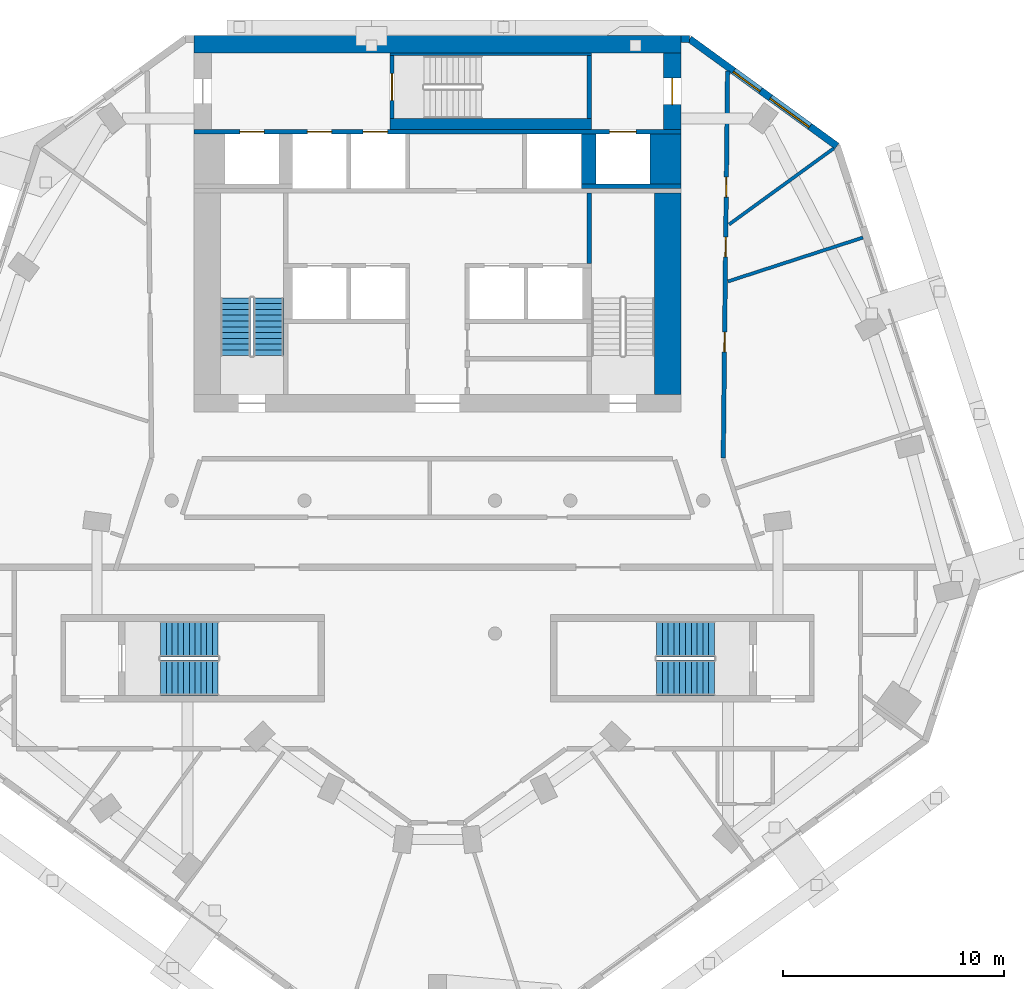
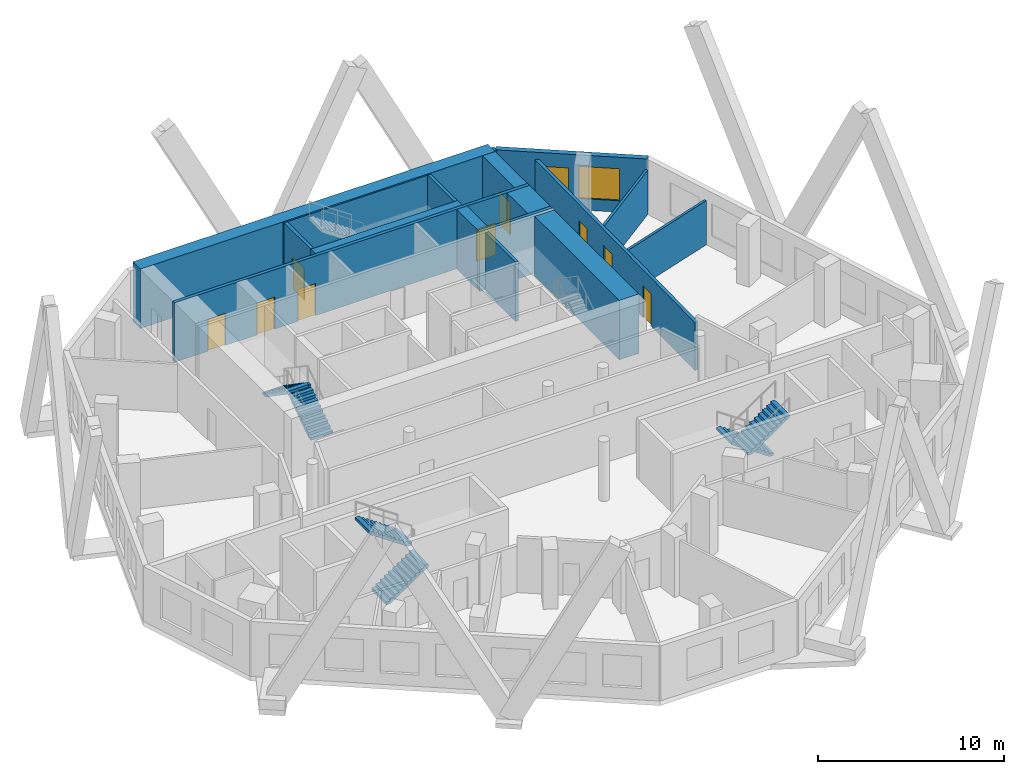
# One storey, part 7 of 10: 17 walls, 9 doors, 6 stair flights, 2 windows, 11 openings, 3 elements without a shape of their own.
"""IFC4 building model written with IfcOpenShell, lengths in metres."""

import ifcopenshell
import ifcopenshell.guid

model = None  # the IFC model being written
_history = None  # IfcOwnerHistory: only IFC2X3 demands one
_inside = {}  # id of a spatial element -> (the spatial element, [elements in it])
_under = {}  # id of a project, library or spatial element -> (it, [spatial elements below it])
_declared = {}  # id of a project -> (the project, [libraries it declares])
_typed = {}  # id of a type object -> (the type object, [elements of that type])
_made_of = {}  # id of a material, layer set ... -> (it, [elements and type objects made of it])


def new_model(schema):
    """Start an empty IFC model of exactly this schema.

    Asked for "IFC4X3", IfcOpenShell would pick the latest addendum, in which some entities
    have other attributes; the version numbers below select the first issue.
    IFC2X3 requires an IfcOwnerHistory on every rooted entity: one is made here for all.
    """
    global model, _history
    if schema == "IFC4X3":
        model = ifcopenshell.file(schema_version=(4, 3, 0, 0))
    else:
        model = ifcopenshell.file(schema=schema)
    _inside.clear()
    _under.clear()
    _declared.clear()
    _typed.clear()
    _made_of.clear()
    _history = None
    if model.schema == "IFC2X3":
        org = make("IfcOrganization", Name="unknown")
        user = make(
            "IfcPersonAndOrganization",
            ThePerson=make("IfcPerson", FamilyName="unknown"),
            TheOrganization=org,
        )
        app = make(
            "IfcApplication",
            ApplicationDeveloper=org,
            Version="unknown",
            ApplicationFullName="unknown",
            ApplicationIdentifier="unknown",
        )
        _history = make(
            "IfcOwnerHistory",
            OwningUser=user,
            OwningApplication=app,
            ChangeAction="ADDED",
            CreationDate=0,
        )
    return model


def make(cls, **values):
    """One entity of the class cls with the attributes given. An attribute that is None is left unset."""
    return model.create_entity(
        cls, **{name: value for name, value in values.items() if value is not None}
    )


def rooted(cls, **values):
    """An entity with a GlobalId (a new one), such as an element, a storey or a relation."""
    return make(cls, GlobalId=ifcopenshell.guid.new(), OwnerHistory=_history, **values)


def si_unit(unit_type, name, prefix=None):
    """IfcSIUnit, for example si_unit("LENGTHUNIT", "METRE", prefix="MILLI")."""
    return make("IfcSIUnit", UnitType=unit_type, Prefix=prefix, Name=name)


def assignment(units):
    """IfcUnitAssignment: the units of a project."""
    return None if units is None else make("IfcUnitAssignment", Units=units)


def point(xyz):
    """IfcCartesianPoint."""
    return None if xyz is None else make("IfcCartesianPoint", Coordinates=xyz)


def direction(xyz):
    """IfcDirection."""
    return None if xyz is None else make("IfcDirection", DirectionRatios=xyz)


def frame(location, z_axis=None, x_axis=None):
    """IfcAxis2Placement3D, a coordinate frame: its origin and axes. An axis left out is left unset."""
    return make(
        "IfcAxis2Placement3D",
        Location=point(location),
        Axis=direction(z_axis),
        RefDirection=direction(x_axis),
    )


def frame_2d(location, x_axis=None):
    """IfcAxis2Placement2D, a coordinate frame in the plane: its origin and x axis."""
    return make(
        "IfcAxis2Placement2D", Location=point(location), RefDirection=direction(x_axis)
    )


def origin():
    """The frame at (0, 0, 0) with its axes left unset."""
    return frame((0.0, 0.0, 0.0))


def place(relative_to, where):
    """IfcLocalPlacement: puts the frame where relative to a parent placement (None: the world)."""
    return make(
        "IfcLocalPlacement", PlacementRelTo=relative_to, RelativePlacement=where
    )


def context(
    kind, dimensions, precision=None, world=None, true_north=None, identifier=None
):
    """IfcGeometricRepresentationContext, for example the 3D "Model" context."""
    return make(
        "IfcGeometricRepresentationContext",
        ContextIdentifier=identifier,
        ContextType=kind,
        CoordinateSpaceDimension=dimensions,
        Precision=precision,
        WorldCoordinateSystem=world,
        TrueNorth=true_north,
    )


def subcontext(parent, identifier, kind, view, scale=None):
    """IfcGeometricRepresentationSubContext, for example "Body" below "Model"."""
    return make(
        "IfcGeometricRepresentationSubContext",
        ContextIdentifier=identifier,
        ContextType=kind,
        ParentContext=parent,
        TargetScale=scale,
        TargetView=view,
    )


def project(units=None, contexts=None):
    """IfcProject with its units and contexts."""
    return rooted(
        "IfcProject",
        Name="project",
        RepresentationContexts=contexts,
        UnitsInContext=assignment(units),
    )


def spatial(cls, under=None, at=None, **own):
    """A site, building, storey or space (cls), placed at a placement, below another one or the project."""
    s = rooted(cls, ObjectPlacement=at, **own)
    if under is not None:
        _under.setdefault(under.id(), (under, []))[1].append(s)
    return s


def polyline(points):
    """IfcPolyline through the points."""
    return make("IfcPolyline", Points=[point(p) for p in points])


def profile(cls, at=None, kind="AREA", **sizes):
    """A parametric profile (cls). Its sizes go by their IFC names, for example OverallWidth=200.0."""
    return make(cls, ProfileType=kind, Position=at, **sizes)


def rectangle(**sizes):
    """IfcRectangleProfileDef."""
    return profile("IfcRectangleProfileDef", **sizes)


def outline(outer, holes=None, kind="AREA"):
    """IfcArbitraryClosedProfileDef: a profile drawn as a closed curve; with holes, ...WithVoids."""
    if holes is None:
        return make("IfcArbitraryClosedProfileDef", ProfileType=kind, OuterCurve=outer)
    return make(
        "IfcArbitraryProfileDefWithVoids",
        ProfileType=kind,
        OuterCurve=outer,
        InnerCurves=holes,
    )


def extrude(swept, where, along, depth):
    """IfcExtrudedAreaSolid: the profile swept, set in the frame where, extruded along a direction by depth."""
    return make(
        "IfcExtrudedAreaSolid",
        SweptArea=swept,
        Position=where,
        ExtrudedDirection=direction(along),
        Depth=depth,
    )


def shape(context_of_items, identifier, shape_type, items):
    """IfcShapeRepresentation: the items that make up one representation, for example the "Body"."""
    return make(
        "IfcShapeRepresentation",
        ContextOfItems=context_of_items,
        RepresentationIdentifier=identifier,
        RepresentationType=shape_type,
        Items=items,
    )


def material(Name=None, Category=None):
    """IfcMaterial."""
    return make("IfcMaterial", Name=Name, Category=Category)


def layer(
    of_material, thickness, ventilated=None, Name=None, Category=None, Priority=None
):
    """IfcMaterialLayer: one layer of a wall or slab, of a material (None: an air gap)."""
    return make(
        "IfcMaterialLayer",
        Material=of_material,
        LayerThickness=thickness,
        IsVentilated=ventilated,
        Name=Name,
        Category=Category,
        Priority=Priority,
    )


def layer_set(layers, Name=None):
    """IfcMaterialLayerSet."""
    return make("IfcMaterialLayerSet", MaterialLayers=layers, LayerSetName=Name)


def made_of(thing, what):
    """Note that an element or type object is made of a material, layer set ...; save() writes the relation."""
    if what is not None:
        _made_of.setdefault(what.id(), (what, []))[1].append(thing)
    return thing


def type_object(cls, material=None, **own):
    """A type object (cls), such as IfcWallType, which elements share."""
    return made_of(rooted(cls, **own), material)


def element(
    cls,
    number,
    at=None,
    inside=None,
    cuts=None,
    type_object=None,
    material=None,
    context=None,
    identifier="Body",
    shape_type=None,
    held_by="IfcProductDefinitionShape",
    body=None,
    shapes=None,
    **own,
):
    """One element of the class cls, such as IfcWall. Its Tag is "e" and its number.

    at: its placement. inside: the storey or other place that contains it. cuts: it is an
    opening in that element (IfcRelVoidsElement). A single representation is given by context,
    identifier, shape_type and body (its items); several are given by shapes. held_by: the class
    of the entity that holds the representations. save() writes the other relations.
    """
    e = rooted(cls, Tag="e%d" % number, ObjectPlacement=at, **own)
    if body is not None:
        shapes = [shape(context, identifier, shape_type, body)]
    if shapes is not None:
        e.Representation = make(held_by, Representations=shapes)
    if inside is not None:
        _inside.setdefault(inside.id(), (inside, []))[1].append(e)
    if cuts is not None:
        rooted(
            "IfcRelVoidsElement", RelatingBuildingElement=cuts, RelatedOpeningElement=e
        )
    if type_object is not None:
        _typed.setdefault(type_object.id(), (type_object, []))[1].append(e)
    return made_of(e, material)


def fill(opening, filler):
    """IfcRelFillsElement: the door or window that sits in an opening."""
    return rooted(
        "IfcRelFillsElement",
        RelatingOpeningElement=opening,
        RelatedBuildingElement=filler,
    )


def aggregate(whole, parts):
    """IfcRelAggregates: a whole, such as a stair, and the parts it consists of."""
    return rooted("IfcRelAggregates", RelatingObject=whole, RelatedObjects=parts)


def save(model, path):
    """Write the relations noted so far, then the file.

    IfcRelAggregates (storeys below a building ...), IfcRelContainedInSpatialStructure (elements
    in a storey), IfcRelDefinesByType, IfcRelAssociatesMaterial and IfcRelDeclares: one each for
    every whole, place, type object, material and project.
    """
    for whole, parts in _under.values():
        aggregate(whole, parts)
    for where, things in _inside.values():
        rooted(
            "IfcRelContainedInSpatialStructure",
            RelatedElements=things,
            RelatingStructure=where,
        )
    for kind, things in _typed.values():
        rooted("IfcRelDefinesByType", RelatedObjects=things, RelatingType=kind)
    for what, things in _made_of.values():
        rooted("IfcRelAssociatesMaterial", RelatedObjects=things, RelatingMaterial=what)
    for by, libraries in _declared.values():
        rooted("IfcRelDeclares", RelatingContext=by, RelatedDefinitions=libraries)
    model.write(path)


model = new_model("IFC4")

# Units and contexts
model_context = context("Model", 3, precision=1e-05, world=origin(), true_north=direction((0.0, 1.0)))
body_context = subcontext(model_context, "Body", "Model", "MODEL_VIEW")
ifc_project = project(units=[si_unit("LENGTHUNIT", "METRE"), si_unit("AREAUNIT", "SQUARE_METRE"), si_unit("VOLUMEUNIT", "CUBIC_METRE"), si_unit("PLANEANGLEUNIT", "RADIAN"), si_unit("MASSUNIT", "GRAM", prefix="KILO")], contexts=[model_context])

# Site, building, storey
site_placement = place(None, origin())
site = spatial("IfcSite", under=ifc_project, at=site_placement, CompositionType="ELEMENT")
building_placement = place(site_placement, origin())
building = spatial("IfcBuilding", under=site, at=building_placement, Name="White Candle Pilgrim Tower", CompositionType="ELEMENT")
storey_placement = place(building_placement, frame((0.0, 0.0, 219.89990234375)))
storey = spatial("IfcBuildingStorey", under=building, at=storey_placement, Name="L51", CompositionType="ELEMENT", Elevation=219.89990234375)

# Walls
ifc_material_1 = material(Name="Concrete C50/60", Category="concrete")
ifc_layer_1 = layer(ifc_material_1, 1.39990234375)
ifc_layer_set_1 = layer_set([ifc_layer_1], Name="Core wall 1400 mm Concrete C50/60")
wall_type_1 = type_object("IfcWallType", Name="Core wall 1400 mm Concrete C50/60", PredefinedType="SHEAR", material=ifc_layer_set_1)
wall_1_placement = place(storey_placement, frame((80.300048828125, 81.300048828125, 0.0), z_axis=(0.0, 0.0, 1.0), x_axis=(0.0, 1.0, 0.0)))
element("IfcWall", 1, at=wall_1_placement, inside=storey, type_object=wall_type_1, Name="WL-L51-C42", PredefinedType="SHEAR", context=body_context, shape_type="SweptSolid", body=[
    extrude(rectangle(XDim=2.25, YDim=1.39990234375, at=frame_2d((1.125, 0.0))), origin(), (0.0, 0.0, 1.0), 3.900146484375),
])
ifc_layer_2 = layer(ifc_material_1, 0.199951171875)
ifc_layer_set_2 = layer_set([ifc_layer_2], Name="Core wall 200 mm Concrete C50/60")
wall_type_2 = type_object("IfcWallType", Name="Core wall 200 mm Concrete C50/60", PredefinedType="SHEAR", material=ifc_layer_set_2)
wall_2_placement = place(storey_placement, frame((76.5, 81.199951171875, 0.0), z_axis=(0.0, 0.0, 1.0), x_axis=(1.0, 0.0, 0.0)))
element("IfcWall", 2, at=wall_2_placement, inside=storey, type_object=wall_type_2, Name="WL-L51-C38", PredefinedType="SHEAR", context=body_context, shape_type="SweptSolid", body=[
    extrude(rectangle(XDim=4.5, YDim=0.199951171875, at=frame_2d((2.25, 0.0))), origin(), (0.0, 0.0, 1.0), 3.900146484375),
])

# Wall, openings, doors
wall_3_placement = place(storey_placement, frame((59.0, 83.64990234375, 0.0), z_axis=(0.0, 0.0, 1.0), x_axis=(1.0, 0.0, 0.0)))
wall_3 = element("IfcWall", 3, at=wall_3_placement, inside=storey, type_object=wall_type_2, Name="WL-L51-C43", PredefinedType="SHEAR", context=body_context, shape_type="SweptSolid", body=[
    extrude(rectangle(XDim=22.0, YDim=0.199951171875, at=frame_2d((11.0, 0.0))), origin(), (0.0, 0.0, 1.0), 3.900146484375),
])
opening_1_placement = place(wall_3_placement, frame((5.125, 0.0, 0.0)))
opening_1 = element("IfcOpeningElement", 4, at=opening_1_placement, cuts=wall_3, Name="Opening T16-018", PredefinedType="OPENING", context=body_context, shape_type="SweptSolid", body=[
    extrude(rectangle(XDim=1.10009765625, YDim=2.10009765625, at=frame_2d((0.550048828125, 1.050048828125))), frame((0.0, 0.10986328125, 0.0), z_axis=(0.0, -1.0, 0.0), x_axis=(1.0, 0.0, 0.0)), (0.0, 0.0, 1.0), 0.219970703125),
])
opening_2_placement = place(wall_3_placement, frame((7.64990234375, 0.0, 0.0)))
opening_2 = element("IfcOpeningElement", 5, at=opening_2_placement, cuts=wall_3, Name="Opening T16-019", PredefinedType="OPENING", context=body_context, shape_type="SweptSolid", body=[
    extrude(rectangle(XDim=1.10009765625, YDim=2.10009765625, at=frame_2d((0.550048828125, 1.050048828125))), frame((0.0, 0.10986328125, 0.0), z_axis=(0.0, -1.0, 0.0), x_axis=(1.0, 0.0, 0.0)), (0.0, 0.0, 1.0), 0.219970703125),
])
opening_3_placement = place(wall_3_placement, frame((18.77490234375, 0.0, 0.0)))
opening_3 = element("IfcOpeningElement", 6, at=opening_3_placement, cuts=wall_3, Name="Opening T16-020", PredefinedType="OPENING", context=body_context, shape_type="SweptSolid", body=[
    extrude(rectangle(XDim=1.199951171875, YDim=2.10009765625, at=frame_2d((0.60009765625, 1.050048828125))), frame((0.0, 0.10986328125, 0.0), z_axis=(0.0, -1.0, 0.0), x_axis=(1.0, 0.0, 0.0)), (0.0, 0.0, 1.0), 0.219970703125),
])
opening_4_placement = place(wall_3_placement, frame((2.074951171875, 0.0, 0.0)))
opening_4 = element("IfcOpeningElement", 7, at=opening_4_placement, cuts=wall_3, Name="Opening T16-021", PredefinedType="OPENING", context=body_context, shape_type="SweptSolid", body=[
    extrude(rectangle(XDim=1.10009765625, YDim=2.10009765625, at=frame_2d((0.550048828125, 1.050048828125))), frame((0.0, 0.10986328125, 0.0), z_axis=(0.0, -1.0, 0.0), x_axis=(1.0, 0.0, 0.0)), (0.0, 0.0, 1.0), 0.219970703125),
])
ifc_material_2 = material(Name="Stainless steel", Category="steel")
door_type_1 = type_object("IfcDoorType", Name="Lift landing door 1100 x 2100 EI 60", OperationType="DOUBLE_DOOR_SLIDING", PredefinedType="DOOR", material=ifc_material_2)
door_1_placement = place(opening_1_placement, origin())
door_1 = element("IfcDoor", 8, at=door_1_placement, inside=storey, type_object=door_type_1, Name="Door T16-018", OperationType="DOUBLE_DOOR_SLIDING", OverallHeight=2.10009765625, OverallWidth=1.10009765625, PredefinedType="DOOR", context=body_context, shape_type="SweptSolid", body=[
    extrude(rectangle(XDim=1.10009765625, YDim=2.10009765625, at=frame_2d((0.550048828125, 1.050048828125))), frame((0.0, 0.02490234375, 0.0), z_axis=(0.0, -1.0, 0.0), x_axis=(1.0, 0.0, 0.0)), (0.0, 0.0, 1.0), 0.050048828125),
])
fill(opening_1, door_1)
door_2_placement = place(opening_2_placement, origin())
door_2 = element("IfcDoor", 9, at=door_2_placement, inside=storey, type_object=door_type_1, Name="Door T16-019", OperationType="DOUBLE_DOOR_SLIDING", OverallHeight=2.10009765625, OverallWidth=1.10009765625, PredefinedType="DOOR", context=body_context, shape_type="SweptSolid", body=[
    extrude(rectangle(XDim=1.10009765625, YDim=2.10009765625, at=frame_2d((0.550048828125, 1.050048828125))), frame((0.0, 0.02490234375, 0.0), z_axis=(0.0, -1.0, 0.0), x_axis=(1.0, 0.0, 0.0)), (0.0, 0.0, 1.0), 0.050048828125),
])
fill(opening_2, door_2)
door_3_placement = place(opening_4_placement, origin())
door_3 = element("IfcDoor", 10, at=door_3_placement, inside=storey, type_object=door_type_1, Name="Door T16-021", OperationType="DOUBLE_DOOR_SLIDING", OverallHeight=2.10009765625, OverallWidth=1.10009765625, PredefinedType="DOOR", context=body_context, shape_type="SweptSolid", body=[
    extrude(rectangle(XDim=1.10009765625, YDim=2.10009765625, at=frame_2d((0.550048828125, 1.050048828125))), frame((0.0, 0.02490234375, 0.0), z_axis=(0.0, -1.0, 0.0), x_axis=(1.0, 0.0, 0.0)), (0.0, 0.0, 1.0), 0.050048828125),
])
fill(opening_4, door_3)
door_type_2 = type_object("IfcDoorType", Name="Lift landing door 1200 x 2100 E 60", OperationType="DOUBLE_DOOR_SLIDING", PredefinedType="DOOR", material=ifc_material_2)
door_4_placement = place(opening_3_placement, origin())
door_4 = element("IfcDoor", 11, at=door_4_placement, inside=storey, type_object=door_type_2, Name="Door T16-020", OperationType="DOUBLE_DOOR_SLIDING", OverallHeight=2.10009765625, OverallWidth=1.199951171875, PredefinedType="DOOR", context=body_context, shape_type="SweptSolid", body=[
    extrude(rectangle(XDim=1.199951171875, YDim=2.10009765625, at=frame_2d((0.60009765625, 1.050048828125))), frame((0.0, 0.02490234375, 0.0), z_axis=(0.0, -1.0, 0.0), x_axis=(1.0, 0.0, 0.0)), (0.0, 0.0, 1.0), 0.050048828125),
])
fill(opening_3, door_4)

# Wall, opening, door
ifc_layer_3 = layer(ifc_material_1, 0.800048828125)
ifc_layer_set_3 = layer_set([ifc_layer_3], Name="Core wall 800 mm Concrete C50/60")
wall_type_3 = type_object("IfcWallType", Name="Core wall 800 mm Concrete C50/60", PredefinedType="SHEAR", material=ifc_layer_set_3)
wall_4_placement = place(storey_placement, frame((80.60009765625, 83.75, 0.0), z_axis=(0.0, 0.0, 1.0), x_axis=(0.0, 1.0, 0.0)))
wall_4 = element("IfcWall", 12, at=wall_4_placement, inside=storey, type_object=wall_type_3, Name="WL-L51-C46", PredefinedType="SHEAR", context=body_context, shape_type="SweptSolid", body=[
    extrude(rectangle(XDim=3.449951171875, YDim=0.800048828125, at=frame_2d((1.72509765625, 0.0))), origin(), (0.0, 0.0, 1.0), 3.900146484375),
])
opening_5_placement = place(wall_4_placement, frame((1.125, 0.0, 0.0)))
opening_5 = element("IfcOpeningElement", 13, at=opening_5_placement, cuts=wall_4, Name="Opening T16-009", PredefinedType="OPENING", context=body_context, shape_type="SweptSolid", body=[
    extrude(rectangle(XDim=1.199951171875, YDim=2.10009765625, at=frame_2d((0.60009765625, 1.050048828125))), frame((0.0, 0.409912109375, 0.0), z_axis=(0.0, -1.0, 0.0), x_axis=(1.0, 0.0, 0.0)), (0.0, 0.0, 1.0), 0.820068359375),
])
ifc_material_3 = material(Name="Steel door leaf", Category="steel")
door_type_3 = type_object("IfcDoorType", Name="Fire door 1200 x 2100 EI 30", OperationType="NOTDEFINED", PredefinedType="DOOR", material=ifc_material_3)
door_5_placement = place(opening_5_placement, origin())
door_5 = element("IfcDoor", 14, at=door_5_placement, inside=storey, type_object=door_type_3, Name="Door T16-009", OperationType="SINGLE_SWING_LEFT", OverallHeight=2.10009765625, OverallWidth=1.199951171875, PredefinedType="DOOR", context=body_context, shape_type="SweptSolid", body=[
    extrude(rectangle(XDim=1.199951171875, YDim=2.10009765625, at=frame_2d((0.60009765625, 1.050048828125))), frame((0.0, 0.02490234375, 0.0), z_axis=(0.0, -1.0, 0.0), x_axis=(1.0, 0.0, 0.0)), (0.0, 0.0, 1.0), 0.050048828125),
])
fill(opening_5, door_5)

# Wall
wall_5_placement = place(storey_placement, frame((59.0, 87.60009765625, 0.0), z_axis=(0.0, 0.0, 1.0), x_axis=(1.0, 0.0, 0.0)))
element("IfcWall", 15, at=wall_5_placement, inside=storey, type_object=wall_type_3, Name="WL-L51-C50", PredefinedType="SHEAR", context=body_context, shape_type="SweptSolid", body=[
    extrude(rectangle(XDim=22.0, YDim=0.800048828125, at=frame_2d((11.0, 0.0))), origin(), (0.0, 0.0, 1.0), 3.900146484375),
])

# Wall, openings, doors
ifc_material_4 = material(Name="Gypsum board on steel studs", Category="steel")
ifc_layer_4 = layer(ifc_material_4, 0.199951171875)
ifc_layer_set_4 = layer_set([ifc_layer_4], Name="Corridor wall 200 mm EI 45")
wall_type_4 = type_object("IfcWallType", Name="Corridor wall 200 mm EI 45", PredefinedType="PARTITIONING", material=ifc_layer_set_4)
wall_6_placement = place(storey_placement, frame((83.10009765625, 86.396240234375, 0.0), z_axis=(0.0, 0.0, 1.0), x_axis=(-0.011158990621, -0.999937736526, 0.0)))
wall_6 = element("IfcWall", 16, at=wall_6_placement, inside=storey, type_object=wall_type_4, Name="WL-L51-P004", PredefinedType="PARTITIONING", context=body_context, shape_type="SweptSolid", body=[
    extrude(rectangle(XDim=17.480712890625, YDim=0.199951171875, at=frame_2d((8.740234375, 0.0))), origin(), (0.0, 0.0, 1.0), 3.150146484375),
])
opening_6_placement = place(wall_6_placement, frame((4.794189453125, 0.0, 0.0)))
opening_6 = element("IfcOpeningElement", 17, at=opening_6_placement, cuts=wall_6, Name="Opening T16-120", PredefinedType="OPENING", context=body_context, shape_type="SweptSolid", body=[
    extrude(rectangle(XDim=0.89990234375, YDim=2.10009765625, at=frame_2d((0.449951171875, 1.050048828125))), frame((0.0, 0.10986328125, 0.0), z_axis=(0.0, -1.0, 0.0), x_axis=(1.0, 0.0, 0.0)), (0.0, 0.0, 1.0), 0.219970703125),
])
opening_7_placement = place(wall_6_placement, frame((7.4951171875, 0.0, 0.0)))
opening_7 = element("IfcOpeningElement", 18, at=opening_7_placement, cuts=wall_6, Name="Opening T16-121", PredefinedType="OPENING", context=body_context, shape_type="SweptSolid", body=[
    extrude(rectangle(XDim=0.89990234375, YDim=2.10009765625, at=frame_2d((0.449951171875, 1.050048828125))), frame((0.0, 0.10986328125, 0.0), z_axis=(0.0, -1.0, 0.0), x_axis=(1.0, 0.0, 0.0)), (0.0, 0.0, 1.0), 0.219970703125),
])
opening_8_placement = place(wall_6_placement, frame((11.78662109375, 0.0, 0.0)))
opening_8 = element("IfcOpeningElement", 19, at=opening_8_placement, cuts=wall_6, Name="Opening T16-122", PredefinedType="OPENING", context=body_context, shape_type="SweptSolid", body=[
    extrude(rectangle(XDim=0.89990234375, YDim=2.10009765625, at=frame_2d((0.449951171875, 1.050048828125))), frame((0.0, 0.10986328125, 0.0), z_axis=(0.0, -1.0, 0.0), x_axis=(1.0, 0.0, 0.0)), (0.0, 0.0, 1.0), 0.219970703125),
])
door_type_4 = type_object("IfcDoorType", Name="Fire door 900 x 2100 EI 30", OperationType="NOTDEFINED", PredefinedType="DOOR", material=ifc_material_3)
door_6_placement = place(opening_6_placement, origin())
door_6 = element("IfcDoor", 20, at=door_6_placement, inside=storey, type_object=door_type_4, Name="Door T16-120", OperationType="SINGLE_SWING_RIGHT", OverallHeight=2.10009765625, OverallWidth=0.89990234375, PredefinedType="DOOR", context=body_context, shape_type="SweptSolid", body=[
    extrude(rectangle(XDim=0.89990234375, YDim=2.10009765625, at=frame_2d((0.449951171875, 1.050048828125))), frame((0.0, 0.02490234375, 0.0), z_axis=(0.0, -1.0, 0.0), x_axis=(1.0, 0.0, 0.0)), (0.0, 0.0, 1.0), 0.050048828125),
])
fill(opening_6, door_6)
door_7_placement = place(opening_7_placement, origin())
door_7 = element("IfcDoor", 21, at=door_7_placement, inside=storey, type_object=door_type_4, Name="Door T16-121", OperationType="SINGLE_SWING_LEFT", OverallHeight=2.10009765625, OverallWidth=0.89990234375, PredefinedType="DOOR", context=body_context, shape_type="SweptSolid", body=[
    extrude(rectangle(XDim=0.89990234375, YDim=2.10009765625, at=frame_2d((0.449951171875, 1.050048828125))), frame((0.0, 0.02490234375, 0.0), z_axis=(0.0, -1.0, 0.0), x_axis=(1.0, 0.0, 0.0)), (0.0, 0.0, 1.0), 0.050048828125),
])
fill(opening_7, door_7)
door_8_placement = place(opening_8_placement, origin())
door_8 = element("IfcDoor", 22, at=door_8_placement, inside=storey, type_object=door_type_4, Name="Door T16-122", OperationType="SINGLE_SWING_RIGHT", OverallHeight=2.10009765625, OverallWidth=0.89990234375, PredefinedType="DOOR", context=body_context, shape_type="SweptSolid", body=[
    extrude(rectangle(XDim=0.89990234375, YDim=2.10009765625, at=frame_2d((0.449951171875, 1.050048828125))), frame((0.0, 0.02490234375, 0.0), z_axis=(0.0, -1.0, 0.0), x_axis=(1.0, 0.0, 0.0)), (0.0, 0.0, 1.0), 0.050048828125),
])
fill(opening_8, door_8)

# Wall, openings, windows
ifc_material_5 = material(Name="Precast concrete C40/50", Category="concrete")
ifc_layer_5 = layer(ifc_material_5, 0.320068359375)
ifc_layer_set_5 = layer_set([ifc_layer_5], Name="Facade wall EW1 precast concrete C40/50 pier wall with timber-lined reveals")
wall_type_5 = type_object("IfcWallType", Name="Facade wall EW1 precast concrete C40/50 pier wall with timber-lined reveals", PredefinedType="SOLIDWALL", material=ifc_layer_set_5)
wall_7_placement = place(storey_placement, frame((88.03662109375, 83.00732421875, 0.0), z_axis=(0.0, 0.0, 1.0), x_axis=(-0.809012068833, 0.587792031659, 0.0)))
wall_7 = element("IfcWall", 23, at=wall_7_placement, inside=storey, type_object=wall_type_5, Name="Facade wall L51 NE chamfer", PredefinedType="SOLIDWALL", context=body_context, shape_type="SweptSolid", body=[
    extrude(rectangle(XDim=8.221923828125, YDim=0.320068359375, at=frame_2d((4.11083984375, 0.0))), origin(), (0.0, 0.0, 1.0), 3.60009765625),
])
opening_9_placement = place(wall_7_placement, frame((1.510986328125, 0.0, 0.75)))
opening_9 = element("IfcOpeningElement", 24, at=opening_9_placement, cuts=wall_7, Name="Opening W4", PredefinedType="OPENING", context=body_context, shape_type="SweptSolid", body=[
    extrude(rectangle(XDim=2.199951171875, YDim=2.10009765625, at=frame_2d((1.10009765625, 1.050048828125))), frame((0.0, 0.169921875, 0.0), z_axis=(0.0, -1.0, 0.0), x_axis=(1.0, 0.0, 0.0)), (0.0, 0.0, 1.0), 0.340087890625),
])
opening_10_placement = place(wall_7_placement, frame((4.262939453125, 0.0, 0.89990234375)))
opening_10 = element("IfcOpeningElement", 25, at=opening_10_placement, cuts=wall_7, Name="Opening W1", PredefinedType="OPENING", context=body_context, shape_type="SweptSolid", body=[
    extrude(rectangle(XDim=1.5, YDim=1.800048828125, at=frame_2d((0.75, 0.89990234375))), frame((0.0, 0.169921875, 0.0), z_axis=(0.0, -1.0, 0.0), x_axis=(1.0, 0.0, 0.0)), (0.0, 0.0, 1.0), 0.340087890625),
])
ifc_material_6 = material(Name="Timber frame with triple glazing", Category="wood")
window_type_1 = type_object("IfcWindowType", Name="Window W1 1500x1800 timber frame triple glazing", PartitioningType="SINGLE_PANEL", PredefinedType="WINDOW", material=ifc_material_6)
window_1_placement = place(opening_10_placement, origin())
window_1 = element("IfcWindow", 26, at=window_1_placement, inside=storey, type_object=window_type_1, Name="Window W1 L51 NE chamfer 2", OverallHeight=1.800048828125, OverallWidth=1.5, PartitioningType="SINGLE_PANEL", PredefinedType="WINDOW", context=body_context, shape_type="SweptSolid", body=[
    extrude(rectangle(XDim=1.5, YDim=1.800048828125, at=frame_2d((0.75, 0.89990234375))), frame((0.0, 0.070068359375, 0.0), z_axis=(0.0, -1.0, 0.0), x_axis=(1.0, 0.0, 0.0)), (0.0, 0.0, 1.0), 0.06005859375),
])
fill(opening_10, window_1)
window_type_2 = type_object("IfcWindowType", Name="Window W4 2200x2100 timber frame triple glazing", PartitioningType="SINGLE_PANEL", PredefinedType="WINDOW", material=ifc_material_6)
window_2_placement = place(opening_9_placement, origin())
window_2 = element("IfcWindow", 27, at=window_2_placement, inside=storey, type_object=window_type_2, Name="Window W4 L51 NE chamfer 1", OverallHeight=2.10009765625, OverallWidth=2.199951171875, PartitioningType="SINGLE_PANEL", PredefinedType="WINDOW", context=body_context, shape_type="SweptSolid", body=[
    extrude(rectangle(XDim=2.199951171875, YDim=2.10009765625, at=frame_2d((1.10009765625, 1.050048828125))), frame((0.0, 0.070068359375, 0.0), z_axis=(0.0, -1.0, 0.0), x_axis=(1.0, 0.0, 0.0)), (0.0, 0.0, 1.0), 0.06005859375),
])
fill(opening_9, window_2)

# Walls
wall_8_placement = place(storey_placement, frame((81.385009765625, 87.840087890625, 0.0), z_axis=(0.0, 0.0, 1.0), x_axis=(-1.0, 0.0, 0.0)))
element("IfcWall", 28, at=wall_8_placement, inside=storey, type_object=wall_type_5, Name="Facade wall L51 N", PredefinedType="SOLIDWALL", context=body_context, shape_type="SweptSolid", body=[
    extrude(rectangle(XDim=0.385009765625, YDim=0.320068359375, at=frame_2d((0.1923828125, 0.0))), origin(), (0.0, 0.0, 1.0), 3.60009765625),
])
ifc_layer_6 = layer(ifc_material_4, 0.14990234375)
ifc_layer_set_6 = layer_set([ifc_layer_6], Name="Partition 150 mm EI 60")
wall_type_6 = type_object("IfcWallType", Name="Partition 150 mm EI 60", PredefinedType="PARTITIONING", material=ifc_layer_set_6)
wall_9_placement = place(storey_placement, frame((87.900390625, 82.908447265625, 0.0), z_axis=(0.0, 0.0, 1.0), x_axis=(-0.80901210161, -0.587791986546, 0.0)))
element("IfcWall", 29, at=wall_9_placement, inside=storey, type_object=wall_type_6, Name="WL-L51-P022", PredefinedType="PARTITIONING", context=body_context, shape_type="SweptSolid", body=[
    extrude(rectangle(XDim=5.850341796875, YDim=0.14990234375, at=frame_2d((2.92529296875, 0.0))), origin(), (0.0, 0.0, 1.0), 2.900146484375),
])
wall_10_placement = place(storey_placement, frame((89.21044921875, 78.87646484375, 0.0), z_axis=(0.0, 0.0, 1.0), x_axis=(-0.951060671831, -0.309004204657, 0.0)))
element("IfcWall", 30, at=wall_10_placement, inside=storey, type_object=wall_type_6, Name="WL-L51-P037", PredefinedType="PARTITIONING", context=body_context, shape_type="SweptSolid", body=[
    extrude(rectangle(XDim=6.406005859375, YDim=0.14990234375, at=frame_2d((3.203125, 0.0))), origin(), (0.0, 0.0, 1.0), 2.900146484375),
])
ifc_layer_7 = layer(ifc_material_1, 0.64990234375)
ifc_layer_set_7 = layer_set([ifc_layer_7], Name="Shaft wall 650 mm Concrete C50/60")
wall_type_7 = type_object("IfcWallType", Name="Shaft wall 650 mm Concrete C50/60", PredefinedType="SHEAR", material=ifc_layer_set_7)
wall_11_placement = place(storey_placement, frame((76.824951171875, 81.300048828125, 0.0), z_axis=(0.0, 0.0, 1.0), x_axis=(0.0, 1.0, 0.0)))
element("IfcWall", 31, at=wall_11_placement, inside=storey, type_object=wall_type_7, Name="WL-L51-C41", PredefinedType="SHEAR", context=body_context, shape_type="SweptSolid", body=[
    extrude(rectangle(XDim=2.25, YDim=0.64990234375, at=frame_2d((1.125, 0.0))), origin(), (0.0, 0.0, 1.0), 3.900146484375),
])
ifc_layer_8 = layer(ifc_material_1, 0.10009765625)
ifc_layer_set_8 = layer_set([ifc_layer_8], Name="Stair shaft wall 100 mm Concrete C50/60")
wall_type_8 = type_object("IfcWallType", Name="Stair shaft wall 100 mm Concrete C50/60", PredefinedType="SHEAR", material=ifc_layer_set_8)
wall_12_placement = place(storey_placement, frame((67.85009765625, 87.14990234375, 0.0), z_axis=(0.0, 0.0, 1.0), x_axis=(1.0, 0.0, 0.0)))
element("IfcWall", 32, at=wall_12_placement, inside=storey, type_object=wall_type_8, Name="WL-L51-C49", PredefinedType="SHEAR", context=body_context, shape_type="SweptSolid", body=[
    extrude(rectangle(XDim=9.099853515625, YDim=0.10009765625, at=frame_2d((4.5498046875, 0.0))), origin(), (0.0, 0.0, 1.0), 3.900146484375),
])
ifc_layer_9 = layer(ifc_material_1, 1.199951171875)
ifc_layer_set_9 = layer_set([ifc_layer_9], Name="Stair shaft wall 1200 mm Concrete C50/60")
wall_type_9 = type_object("IfcWallType", Name="Stair shaft wall 1200 mm Concrete C50/60", PredefinedType="SHEAR", material=ifc_layer_set_9)
wall_13_placement = place(storey_placement, frame((80.39990234375, 71.800048828125, 0.0), z_axis=(0.0, 0.0, 1.0), x_axis=(0.0, 1.0, 0.0)))
element("IfcWall", 33, at=wall_13_placement, inside=storey, type_object=wall_type_9, Name="WL-L51-C17", PredefinedType="SHEAR", context=body_context, shape_type="SweptSolid", body=[
    extrude(rectangle(XDim=9.099853515625, YDim=1.199951171875, at=frame_2d((4.5498046875, 0.0))), origin(), (0.0, 0.0, 1.0), 3.900146484375),
])
ifc_layer_10 = layer(ifc_material_1, 0.199951171875)
ifc_layer_set_10 = layer_set([ifc_layer_10], Name="Stair shaft wall 200 mm Concrete C50/60")
wall_type_10 = type_object("IfcWallType", Name="Stair shaft wall 200 mm Concrete C50/60", PredefinedType="SHEAR", material=ifc_layer_set_10)
wall_14_placement = place(storey_placement, frame((76.85009765625, 77.699951171875, 0.0), z_axis=(0.0, 0.0, 1.0), x_axis=(0.0, 1.0, 0.0)))
element("IfcWall", 34, at=wall_14_placement, inside=storey, type_object=wall_type_10, Name="WL-L51-C32", PredefinedType="SHEAR", context=body_context, shape_type="SweptSolid", body=[
    extrude(rectangle(XDim=3.199951171875, YDim=0.199951171875, at=frame_2d((1.60009765625, 0.0))), origin(), (0.0, 0.0, 1.0), 3.900146484375),
])

# Wall, opening, door
wall_15_placement = place(storey_placement, frame((67.949951171875, 84.25, 0.0), z_axis=(0.0, 0.0, 1.0), x_axis=(0.0, 1.0, 0.0)))
wall_15 = element("IfcWall", 35, at=wall_15_placement, inside=storey, type_object=wall_type_10, Name="WL-L51-C47", PredefinedType="SHEAR", context=body_context, shape_type="SweptSolid", body=[
    extrude(rectangle(XDim=2.85009765625, YDim=0.199951171875, at=frame_2d((1.425048828125, 0.0))), origin(), (0.0, 0.0, 1.0), 3.900146484375),
])
opening_11_placement = place(wall_15_placement, frame((0.824951171875, 0.0, 0.0)))
opening_11 = element("IfcOpeningElement", 36, at=opening_11_placement, cuts=wall_15, Name="Opening T16-003", PredefinedType="OPENING", context=body_context, shape_type="SweptSolid", body=[
    extrude(rectangle(XDim=1.199951171875, YDim=2.10009765625, at=frame_2d((0.60009765625, 1.050048828125))), frame((0.0, 0.10986328125, 0.0), z_axis=(0.0, -1.0, 0.0), x_axis=(1.0, 0.0, 0.0)), (0.0, 0.0, 1.0), 0.219970703125),
])
door_type_5 = type_object("IfcDoorType", Name="Fire door 1200 x 2100 EI 60", OperationType="NOTDEFINED", PredefinedType="DOOR", material=ifc_material_3)
door_9_placement = place(opening_11_placement, frame((1.199951171875, 0.0, 0.0), z_axis=(0.0, 0.0, 1.0), x_axis=(-1.0, 0.0, 0.0)))
door_9 = element("IfcDoor", 37, at=door_9_placement, inside=storey, type_object=door_type_5, Name="Door T16-003", OperationType="SINGLE_SWING_RIGHT", OverallHeight=2.10009765625, OverallWidth=1.199951171875, PredefinedType="DOOR", context=body_context, shape_type="SweptSolid", body=[
    extrude(rectangle(XDim=1.199951171875, YDim=2.10009765625, at=frame_2d((0.60009765625, 1.050048828125))), frame((0.0, 0.02490234375, 0.0), z_axis=(0.0, -1.0, 0.0), x_axis=(1.0, 0.0, 0.0)), (0.0, 0.0, 1.0), 0.050048828125),
])
fill(opening_11, door_9)

# Walls
wall_16_placement = place(storey_placement, frame((76.85009765625, 84.25, 0.0), z_axis=(0.0, 0.0, 1.0), x_axis=(0.0, 1.0, 0.0)))
element("IfcWall", 38, at=wall_16_placement, inside=storey, type_object=wall_type_10, Name="WL-L51-C48", PredefinedType="SHEAR", context=body_context, shape_type="SweptSolid", body=[
    extrude(rectangle(XDim=2.85009765625, YDim=0.199951171875, at=frame_2d((1.425048828125, 0.0))), origin(), (0.0, 0.0, 1.0), 3.900146484375),
])
ifc_layer_11 = layer(ifc_material_1, 0.5)
ifc_layer_set_11 = layer_set([ifc_layer_11], Name="Stair shaft wall 500 mm Concrete C50/60")
wall_type_11 = type_object("IfcWallType", Name="Stair shaft wall 500 mm Concrete C50/60", PredefinedType="SHEAR", material=ifc_layer_set_11)
wall_17_placement = place(storey_placement, frame((67.85009765625, 84.0, 0.0), z_axis=(0.0, 0.0, 1.0), x_axis=(1.0, 0.0, 0.0)))
element("IfcWall", 39, at=wall_17_placement, inside=storey, type_object=wall_type_11, Name="WL-L51-C45", PredefinedType="SHEAR", context=body_context, shape_type="SweptSolid", body=[
    extrude(rectangle(XDim=9.099853515625, YDim=0.5, at=frame_2d((4.5498046875, 0.0))), origin(), (0.0, 0.0, 1.0), 3.900146484375),
])

# Stair, stair flights
ifc_material_7 = material(Name="Concrete C40/50", Category="concrete")
stair_type_1 = type_object("IfcStairType", Name="Exit stair 1 flight width 1350 mm", PredefinedType="HALF_TURN_STAIR", material=ifc_material_7)
stair_1_placement = place(storey_placement, origin())
stair_1 = element("IfcStair", 40, at=stair_1_placement, inside=storey, type_object=stair_type_1, Name="L51 stair 1", PredefinedType="NOTDEFINED")
ifc_layer_12 = layer(ifc_material_7, 0.14990234375)
ifc_layer_set_12 = layer_set([ifc_layer_12], Name="Stair flight Concrete C40/50")
stair_flight_type = type_object("IfcStairFlightType", Name="Stair flight Concrete C40/50", PredefinedType="STRAIGHT", material=ifc_layer_set_12)
stair_flight_1_placement = place(storey_placement, frame((62.375, 73.550048828125, 0.0), z_axis=(0.0, 0.0, 1.0), x_axis=(0.0, 1.0, 0.0)))
stair_flight_1 = element("IfcStairFlight", 41, at=stair_flight_1_placement, type_object=stair_flight_type, Name="ST1 flight 1", NumberOfRisers=11, NumberOfTreads=10, PredefinedType="NOTDEFINED", RiserHeight=0.177272727, TreadLength=0.26, context=body_context, shape_type="SweptSolid", body=[
    extrude(outline(polyline([(0.0, 0.0), (0.0, 0.17724609375), (0.260009765625, 0.17724609375), (0.260009765625, 0.3544921875), (0.52001953125, 0.3544921875), (0.52001953125, 0.53173828125), (0.780029296875, 0.53173828125), (0.780029296875, 0.708984375), (1.0400390625, 0.708984375), (1.0400390625, 0.886474609375), (1.300048828125, 0.886474609375), (1.300048828125, 1.063720703125), (1.56005859375, 1.063720703125), (1.56005859375, 1.240966796875), (1.820068359375, 1.240966796875), (1.820068359375, 1.418212890625), (2.080078125, 1.418212890625), (2.080078125, 1.595458984375), (2.340087890625, 1.595458984375), (2.340087890625, 1.772705078125), (2.60009765625, 1.772705078125), (2.60009765625, 1.949951171875), (2.60009765625, 1.59130859375), (0.26611328125, 0.0), (0.0, 0.0)])), frame((0.0, 0.675048828125, 0.0), z_axis=(0.0, -1.0, 0.0), x_axis=(1.0, 0.0, 0.0)), (0.0, 0.0, 1.0), 1.35009765625),
])
stair_flight_2_placement = place(storey_placement, frame((60.875, 76.14990234375, 1.9501953125), z_axis=(0.0, 0.0, 1.0), x_axis=(0.0, -1.0, 0.0)))
stair_flight_2 = element("IfcStairFlight", 42, at=stair_flight_2_placement, type_object=stair_flight_type, Name="ST1 flight 2", NumberOfRisers=11, NumberOfTreads=10, PredefinedType="NOTDEFINED", RiserHeight=0.177272727, TreadLength=0.26, context=body_context, shape_type="SweptSolid", body=[
    extrude(outline(polyline([(0.0, 0.0), (0.0, 0.17724609375), (0.260009765625, 0.17724609375), (0.260009765625, 0.3544921875), (0.52001953125, 0.3544921875), (0.52001953125, 0.53173828125), (0.780029296875, 0.53173828125), (0.780029296875, 0.708984375), (1.0400390625, 0.708984375), (1.0400390625, 0.886474609375), (1.300048828125, 0.886474609375), (1.300048828125, 1.063720703125), (1.56005859375, 1.063720703125), (1.56005859375, 1.240966796875), (1.820068359375, 1.240966796875), (1.820068359375, 1.418212890625), (2.080078125, 1.418212890625), (2.080078125, 1.595458984375), (2.340087890625, 1.595458984375), (2.340087890625, 1.772705078125), (2.60009765625, 1.772705078125), (2.60009765625, 1.949951171875), (2.60009765625, 1.59130859375), (0.26611328125, 0.0), (0.0, 0.0)])), frame((0.0, 0.675048828125, 0.0), z_axis=(0.0, -1.0, 0.0), x_axis=(1.0, 0.0, 0.0)), (0.0, 0.0, 1.0), 1.35009765625),
])
aggregate(stair_1, [stair_flight_1, stair_flight_2])

stair_type_2 = type_object("IfcStairType", Name="Exit stair 4 flight width 1600 mm", PredefinedType="HALF_TURN_STAIR", material=ifc_material_7)
stair_2_placement = place(storey_placement, origin())
stair_2 = element("IfcStair", 43, at=stair_2_placement, inside=storey, type_object=stair_type_2, Name="L51 stair 4", PredefinedType="NOTDEFINED")
stair_flight_3_placement = place(storey_placement, frame((82.5, 60.75, 0.0), z_axis=(0.0, 0.0, 1.0), x_axis=(-1.0, 0.0, 0.0)))
stair_flight_3 = element("IfcStairFlight", 44, at=stair_flight_3_placement, type_object=stair_flight_type, Name="ST4 flight 1", NumberOfRisers=11, NumberOfTreads=10, PredefinedType="NOTDEFINED", RiserHeight=0.177272727, TreadLength=0.26, context=body_context, shape_type="SweptSolid", body=[
    extrude(outline(polyline([(0.0, 0.0), (0.0, 0.17724609375), (0.260009765625, 0.17724609375), (0.260009765625, 0.3544921875), (0.52001953125, 0.3544921875), (0.52001953125, 0.53173828125), (0.780029296875, 0.53173828125), (0.780029296875, 0.708984375), (1.0400390625, 0.708984375), (1.0400390625, 0.886474609375), (1.300048828125, 0.886474609375), (1.300048828125, 1.063720703125), (1.56005859375, 1.063720703125), (1.56005859375, 1.240966796875), (1.820068359375, 1.240966796875), (1.820068359375, 1.418212890625), (2.080078125, 1.418212890625), (2.080078125, 1.595458984375), (2.340087890625, 1.595458984375), (2.340087890625, 1.772705078125), (2.60009765625, 1.772705078125), (2.60009765625, 1.949951171875), (2.60009765625, 1.59130859375), (0.26611328125, 0.0), (0.0, 0.0)])), frame((0.0, 0.800048828125, 0.0), z_axis=(0.0, -1.0, 0.0), x_axis=(1.0, 0.0, 0.0)), (0.0, 0.0, 1.0), 1.60009765625),
])
stair_flight_4_placement = place(storey_placement, frame((79.89990234375, 59.0, 1.9501953125), z_axis=(0.0, 0.0, 1.0), x_axis=(1.0, 0.0, 0.0)))
stair_flight_4 = element("IfcStairFlight", 45, at=stair_flight_4_placement, type_object=stair_flight_type, Name="ST4 flight 2", NumberOfRisers=11, NumberOfTreads=10, PredefinedType="NOTDEFINED", RiserHeight=0.177272727, TreadLength=0.26, context=body_context, shape_type="SweptSolid", body=[
    extrude(outline(polyline([(0.0, 0.0), (0.0, 0.17724609375), (0.260009765625, 0.17724609375), (0.260009765625, 0.3544921875), (0.52001953125, 0.3544921875), (0.52001953125, 0.53173828125), (0.780029296875, 0.53173828125), (0.780029296875, 0.708984375), (1.0400390625, 0.708984375), (1.0400390625, 0.886474609375), (1.300048828125, 0.886474609375), (1.300048828125, 1.063720703125), (1.56005859375, 1.063720703125), (1.56005859375, 1.240966796875), (1.820068359375, 1.240966796875), (1.820068359375, 1.418212890625), (2.080078125, 1.418212890625), (2.080078125, 1.595458984375), (2.340087890625, 1.595458984375), (2.340087890625, 1.772705078125), (2.60009765625, 1.772705078125), (2.60009765625, 1.949951171875), (2.60009765625, 1.59130859375), (0.26611328125, 0.0), (0.0, 0.0)])), frame((0.0, 0.800048828125, 0.0), z_axis=(0.0, -1.0, 0.0), x_axis=(1.0, 0.0, 0.0)), (0.0, 0.0, 1.0), 1.60009765625),
])
aggregate(stair_2, [stair_flight_3, stair_flight_4])

stair_type_3 = type_object("IfcStairType", Name="Exit stair 5 flight width 1600 mm", PredefinedType="HALF_TURN_STAIR", material=ifc_material_7)
stair_3_placement = place(storey_placement, origin())
stair_3 = element("IfcStair", 46, at=stair_3_placement, inside=storey, type_object=stair_type_3, Name="L51 stair 5", PredefinedType="NOTDEFINED")
stair_flight_5_placement = place(storey_placement, frame((57.5, 59.0, 0.0), z_axis=(0.0, 0.0, 1.0), x_axis=(1.0, 0.0, 0.0)))
stair_flight_5 = element("IfcStairFlight", 47, at=stair_flight_5_placement, type_object=stair_flight_type, Name="ST5 flight 1", NumberOfRisers=11, NumberOfTreads=10, PredefinedType="NOTDEFINED", RiserHeight=0.177272727, TreadLength=0.26, context=body_context, shape_type="SweptSolid", body=[
    extrude(outline(polyline([(0.0, 0.0), (0.0, 0.17724609375), (0.260009765625, 0.17724609375), (0.260009765625, 0.3544921875), (0.52001953125, 0.3544921875), (0.52001953125, 0.53173828125), (0.780029296875, 0.53173828125), (0.780029296875, 0.708984375), (1.0400390625, 0.708984375), (1.0400390625, 0.886474609375), (1.300048828125, 0.886474609375), (1.300048828125, 1.063720703125), (1.56005859375, 1.063720703125), (1.56005859375, 1.240966796875), (1.820068359375, 1.240966796875), (1.820068359375, 1.418212890625), (2.080078125, 1.418212890625), (2.080078125, 1.595458984375), (2.340087890625, 1.595458984375), (2.340087890625, 1.772705078125), (2.60009765625, 1.772705078125), (2.60009765625, 1.949951171875), (2.60009765625, 1.59130859375), (0.26611328125, 0.0), (0.0, 0.0)])), frame((0.0, 0.800048828125, 0.0), z_axis=(0.0, -1.0, 0.0), x_axis=(1.0, 0.0, 0.0)), (0.0, 0.0, 1.0), 1.60009765625),
])
stair_flight_6_placement = place(storey_placement, frame((60.10009765625, 60.75, 1.9501953125), z_axis=(0.0, 0.0, 1.0), x_axis=(-1.0, 0.0, 0.0)))
stair_flight_6 = element("IfcStairFlight", 48, at=stair_flight_6_placement, type_object=stair_flight_type, Name="ST5 flight 2", NumberOfRisers=11, NumberOfTreads=10, PredefinedType="NOTDEFINED", RiserHeight=0.177272727, TreadLength=0.26, context=body_context, shape_type="SweptSolid", body=[
    extrude(outline(polyline([(0.0, 0.0), (0.0, 0.17724609375), (0.260009765625, 0.17724609375), (0.260009765625, 0.3544921875), (0.52001953125, 0.3544921875), (0.52001953125, 0.53173828125), (0.780029296875, 0.53173828125), (0.780029296875, 0.708984375), (1.0400390625, 0.708984375), (1.0400390625, 0.886474609375), (1.300048828125, 0.886474609375), (1.300048828125, 1.063720703125), (1.56005859375, 1.063720703125), (1.56005859375, 1.240966796875), (1.820068359375, 1.240966796875), (1.820068359375, 1.418212890625), (2.080078125, 1.418212890625), (2.080078125, 1.595458984375), (2.340087890625, 1.595458984375), (2.340087890625, 1.772705078125), (2.60009765625, 1.772705078125), (2.60009765625, 1.949951171875), (2.60009765625, 1.59130859375), (0.26611328125, 0.0), (0.0, 0.0)])), frame((0.0, 0.800048828125, 0.0), z_axis=(0.0, -1.0, 0.0), x_axis=(1.0, 0.0, 0.0)), (0.0, 0.0, 1.0), 1.60009765625),
])
aggregate(stair_3, [stair_flight_5, stair_flight_6])

save(model, "model.ifc")
